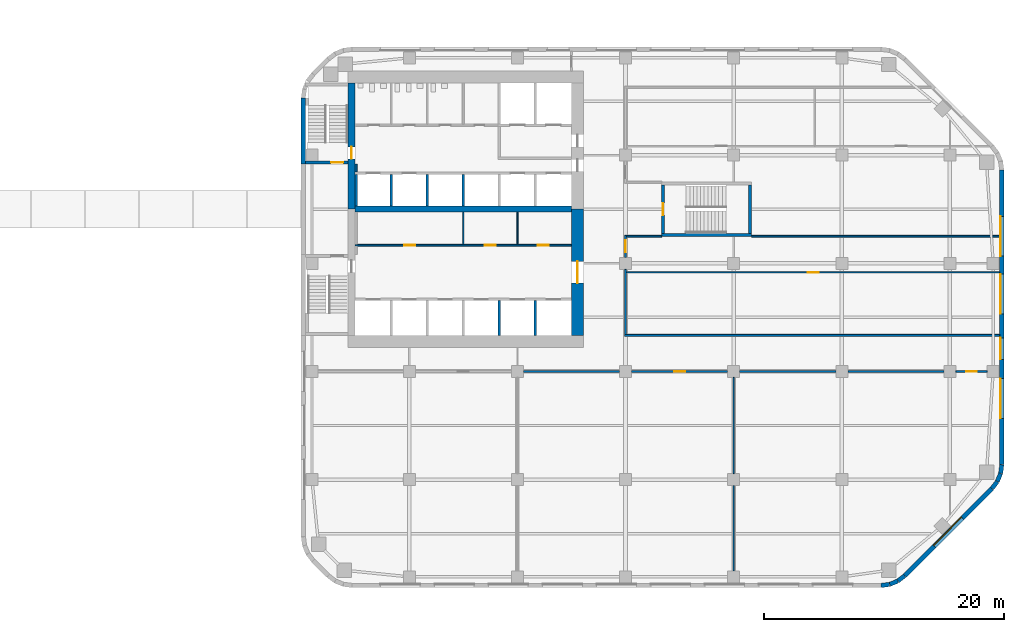
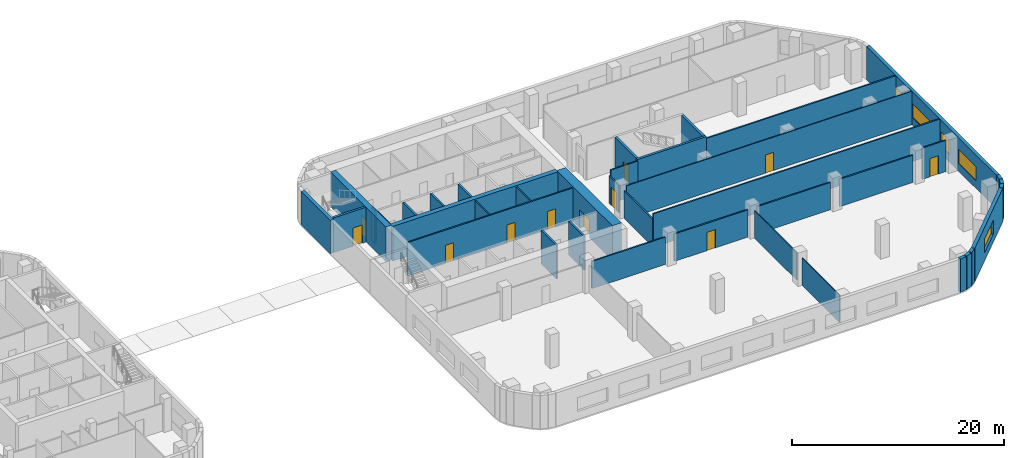
# One storey, part 9 of 15: 39 walls, 11 doors, 5 windows, 16 openings.
"""IFC4 building model written with IfcOpenShell, lengths in metres."""

from ifc_helpers import new_model, si_unit, direction, frame, frame_2d, origin, place, context, subcontext, project, spatial, rectangle, extrude, material, layer, layer_set, type_object, element, fill, save


model = new_model("IFC4")

# Units and contexts
model_context = context("Model", 3, precision=1e-05, world=origin(), true_north=direction((0.0, 1.0)))
body_context = subcontext(model_context, "Body", "Model", "MODEL_VIEW")
ifc_project = project(units=[si_unit("LENGTHUNIT", "METRE"), si_unit("AREAUNIT", "SQUARE_METRE"), si_unit("VOLUMEUNIT", "CUBIC_METRE"), si_unit("PLANEANGLEUNIT", "RADIAN"), si_unit("MASSUNIT", "GRAM", prefix="KILO")], contexts=[model_context])

# Site, building, storey
site_placement = place(None, origin())
site = spatial("IfcSite", under=ifc_project, at=site_placement, CompositionType="ELEMENT")
building_placement = place(site_placement, origin())
building = spatial("IfcBuilding", under=site, at=building_placement, Name="Cinnabar Reach Civic Tower", CompositionType="ELEMENT")
storey_placement = place(building_placement, frame((0.0, 0.0, 75.0)))
storey = spatial("IfcBuildingStorey", under=building, at=storey_placement, Name="L17", CompositionType="ELEMENT", Elevation=75.0)

# Walls
ifc_material_1 = material(Name="Facing brick with insulated backing", Category="masonry")
ifc_layer_1 = layer(ifc_material_1, 0.36)
ifc_layer_set_1 = layer_set([ifc_layer_1], Name="Brick corner wall")
wall_type_1 = type_object("IfcWallType", Name="Brick corner wall", PredefinedType="STANDARD", material=ifc_layer_set_1)
for number, where, z_axis, x_axis, name in (
    (1, (48.2686, 0.183, 0.0), (0.0, 0.0, 1.0), (0.99144092581, 0.13055608231, 0.0), "Brick corner wall"),
    (2, (48.9973, 0.2819, 0.0), (0.0, 0.0, 1.0), (0.923871547278, 0.382702709855, 0.0), "Brick corner wall"),
):
    element("IfcWall", number, at=place(storey_placement, frame(where, z_axis=z_axis, x_axis=x_axis)), inside=storey, type_object=wall_type_1, Name=name, PredefinedType="STANDARD", context=body_context, shape_type="SweptSolid", body=[
        extrude(rectangle(XDim=0.7131, YDim=0.36, at=frame_2d((0.3565, 0.0))), origin(), (0.0, 0.0, 1.0), 3.85),
    ])
for number, where, z_axis, x_axis, name in (
    (3, (49.6755, 0.566, 0.0), (0.0, 0.0, 1.0), (0.793321924995, 0.608802368033, 0.0), "Brick corner wall"),
    (4, (57.4998, 8.2587, 0.0), (0.0, 0.0, 1.0), (0.608802368033, 0.793321924995, 0.0), "Brick corner wall"),
):
    element("IfcWall", number, at=place(storey_placement, frame(where, z_axis=z_axis, x_axis=x_axis)), inside=storey, type_object=wall_type_1, Name=name, PredefinedType="STANDARD", context=body_context, shape_type="SweptSolid", body=[
        extrude(rectangle(XDim=0.7132, YDim=0.36, at=frame_2d((0.3566, 0.0))), origin(), (0.0, 0.0, 1.0), 3.85),
    ])
for number, where, z_axis, x_axis, name in (
    (5, (57.9452, 8.8439, 0.0), (0.0, 0.0, 1.0), (0.382702709855, 0.923871547278, 0.0), "Brick corner wall"),
    (6, (58.2239, 9.5244, 0.0), (0.0, 0.0, 1.0), (0.13055608231, 0.99144092581, 0.0), "Brick corner wall"),
):
    element("IfcWall", number, at=place(storey_placement, frame(where, z_axis=z_axis, x_axis=x_axis)), inside=storey, type_object=wall_type_1, Name=name, PredefinedType="STANDARD", context=body_context, shape_type="SweptSolid", body=[
        extrude(rectangle(XDim=0.7131, YDim=0.36, at=frame_2d((0.3565, 0.0))), origin(), (0.0, 0.0, 1.0), 3.85),
    ])

# Wall, opening, window
ifc_layer_2 = layer(ifc_material_1, 0.36)
ifc_layer_set_2 = layer_set([ifc_layer_2], Name="Brick pier and spandrel wall")
wall_type_2 = type_object("IfcWallType", Name="Brick pier and spandrel wall", PredefinedType="STANDARD", material=ifc_layer_set_2)
wall_1_placement = place(storey_placement, frame((50.2514, 1.006, 0.0), z_axis=(0.0, 0.0, 1.0), x_axis=(0.707106781187, 0.707106781187, 0.0)))
wall_1 = element("IfcWall", 7, at=wall_1_placement, inside=storey, type_object=wall_type_2, Name="Brick facade wall", PredefinedType="STANDARD", context=body_context, shape_type="SweptSolid", body=[
    extrude(rectangle(XDim=10.2426, YDim=0.36, at=frame_2d((5.1213, 0.0))), origin(), (0.0, 0.0, 1.0), 3.85),
])
opening_1_placement = place(wall_1_placement, frame((3.4713, 0.0, 0.9)))
opening_1 = element("IfcOpeningElement", 8, at=opening_1_placement, cuts=wall_1, Name="Opening W1330", PredefinedType="OPENING", context=body_context, shape_type="SweptSolid", body=[
    extrude(rectangle(XDim=3.3, YDim=1.6, at=frame_2d((1.65, 0.8))), frame((0.0, 0.19, 0.0), z_axis=(0.0, -1.0, 0.0), x_axis=(1.0, 0.0, 0.0)), (0.0, 0.0, 1.0), 0.38),
])
ifc_material_2 = material(Name="Clear double glazing in aluminium frame", Category="aluminium")
window_type_1 = type_object("IfcWindowType", Name="Deep-set window A", PartitioningType="SINGLE_PANEL", PredefinedType="WINDOW", material=ifc_material_2)
window_1_placement = place(opening_1_placement, origin())
window_1 = element("IfcWindow", 9, at=window_1_placement, inside=storey, type_object=window_type_1, Name="Window southeast face", OverallHeight=1.6, OverallWidth=3.3, PartitioningType="SINGLE_PANEL", PredefinedType="WINDOW", context=body_context, shape_type="SweptSolid", body=[
    extrude(rectangle(XDim=3.3, YDim=1.6, at=frame_2d((1.65, 0.8))), frame((0.0, 0.13, 0.0), z_axis=(0.0, -1.0, 0.0), x_axis=(1.0, 0.0, 0.0)), (0.0, 0.0, 1.0), 0.06),
])
fill(opening_1, window_1)

# Wall, openings, windows
wall_2_placement = place(storey_placement, frame((58.32, 10.2426, 0.0), z_axis=(0.0, 0.0, 1.0), x_axis=(0.0, 1.0, 0.0)))
wall_2 = element("IfcWall", 10, at=wall_2_placement, inside=storey, type_object=wall_type_2, Name="Brick facade wall", PredefinedType="STANDARD", context=body_context, shape_type="SweptSolid", body=[
    extrude(rectangle(XDim=24.5148, YDim=0.36, at=frame_2d((12.2574, 0.0))), origin(), (0.0, 0.0, 1.0), 3.85),
])
opening_2_placement = place(wall_2_placement, frame((3.8574, 0.0, 0.9)))
opening_2 = element("IfcOpeningElement", 11, at=opening_2_placement, cuts=wall_2, Name="Opening W1331", PredefinedType="OPENING", context=body_context, shape_type="SweptSolid", body=[
    extrude(rectangle(XDim=3.3, YDim=1.6, at=frame_2d((1.65, 0.8))), frame((0.0, 0.19, 0.0), z_axis=(0.0, -1.0, 0.0), x_axis=(1.0, 0.0, 0.0)), (0.0, 0.0, 1.0), 0.38),
])
opening_3_placement = place(wall_2_placement, frame((8.7574, 0.0, 0.9)))
opening_3 = element("IfcOpeningElement", 12, at=opening_3_placement, cuts=wall_2, Name="Opening W1332", PredefinedType="OPENING", context=body_context, shape_type="SweptSolid", body=[
    extrude(rectangle(XDim=1.8, YDim=1.6, at=frame_2d((0.9, 0.8))), frame((0.0, 0.19, 0.0), z_axis=(0.0, -1.0, 0.0), x_axis=(1.0, 0.0, 0.0)), (0.0, 0.0, 1.0), 0.38),
])
opening_4_placement = place(wall_2_placement, frame((12.5574, 0.0, 0.9)))
opening_4 = element("IfcOpeningElement", 13, at=opening_4_placement, cuts=wall_2, Name="Opening W1333", PredefinedType="OPENING", context=body_context, shape_type="SweptSolid", body=[
    extrude(rectangle(XDim=3.3, YDim=1.6, at=frame_2d((1.65, 0.8))), frame((0.0, 0.19, 0.0), z_axis=(0.0, -1.0, 0.0), x_axis=(1.0, 0.0, 0.0)), (0.0, 0.0, 1.0), 0.38),
])
opening_5_placement = place(wall_2_placement, frame((17.3574, 0.0, 0.9)))
opening_5 = element("IfcOpeningElement", 14, at=opening_5_placement, cuts=wall_2, Name="Opening W1334", PredefinedType="OPENING", context=body_context, shape_type="SweptSolid", body=[
    extrude(rectangle(XDim=3.3, YDim=1.6, at=frame_2d((1.65, 0.8))), frame((0.0, 0.19, 0.0), z_axis=(0.0, -1.0, 0.0), x_axis=(1.0, 0.0, 0.0)), (0.0, 0.0, 1.0), 0.38),
])
window_2_placement = place(opening_2_placement, origin())
window_2 = element("IfcWindow", 15, at=window_2_placement, inside=storey, type_object=window_type_1, Name="Window east face", OverallHeight=1.6, OverallWidth=3.3, PartitioningType="SINGLE_PANEL", PredefinedType="WINDOW", context=body_context, shape_type="SweptSolid", body=[
    extrude(rectangle(XDim=3.3, YDim=1.6, at=frame_2d((1.65, 0.8))), frame((0.0, 0.13, 0.0), z_axis=(0.0, -1.0, 0.0), x_axis=(1.0, 0.0, 0.0)), (0.0, 0.0, 1.0), 0.06),
])
fill(opening_2, window_2)
window_3_placement = place(opening_4_placement, origin())
window_3 = element("IfcWindow", 16, at=window_3_placement, inside=storey, type_object=window_type_1, Name="Window east face", OverallHeight=1.6, OverallWidth=3.3, PartitioningType="SINGLE_PANEL", PredefinedType="WINDOW", context=body_context, shape_type="SweptSolid", body=[
    extrude(rectangle(XDim=3.3, YDim=1.6, at=frame_2d((1.65, 0.8))), frame((0.0, 0.13, 0.0), z_axis=(0.0, -1.0, 0.0), x_axis=(1.0, 0.0, 0.0)), (0.0, 0.0, 1.0), 0.06),
])
fill(opening_4, window_3)
window_4_placement = place(opening_5_placement, origin())
window_4 = element("IfcWindow", 17, at=window_4_placement, inside=storey, type_object=window_type_1, Name="Window east face", OverallHeight=1.6, OverallWidth=3.3, PartitioningType="SINGLE_PANEL", PredefinedType="WINDOW", context=body_context, shape_type="SweptSolid", body=[
    extrude(rectangle(XDim=3.3, YDim=1.6, at=frame_2d((1.65, 0.8))), frame((0.0, 0.13, 0.0), z_axis=(0.0, -1.0, 0.0), x_axis=(1.0, 0.0, 0.0)), (0.0, 0.0, 1.0), 0.06),
])
fill(opening_5, window_4)
window_type_2 = type_object("IfcWindowType", Name="Deep-set window D", PartitioningType="SINGLE_PANEL", PredefinedType="WINDOW", material=ifc_material_2)
window_5_placement = place(opening_3_placement, origin())
window_5 = element("IfcWindow", 18, at=window_5_placement, inside=storey, type_object=window_type_2, Name="Window east face", OverallHeight=1.6, OverallWidth=1.8, PartitioningType="SINGLE_PANEL", PredefinedType="WINDOW", context=body_context, shape_type="SweptSolid", body=[
    extrude(rectangle(XDim=1.8, YDim=1.6, at=frame_2d((0.9, 0.8))), frame((0.0, 0.13, 0.0), z_axis=(0.0, -1.0, 0.0), x_axis=(1.0, 0.0, 0.0)), (0.0, 0.0, 1.0), 0.06),
])
fill(opening_3, window_5)

# Wall
wall_3_placement = place(storey_placement, frame((0.18, 40.7574, 0.0), z_axis=(0.0, 0.0, 1.0), x_axis=(0.0, -1.0, 0.0)))
element("IfcWall", 19, at=wall_3_placement, inside=storey, type_object=wall_type_2, Name="Brick facade wall", PredefinedType="STANDARD", context=body_context, shape_type="SweptSolid", body=[
    extrude(rectangle(XDim=5.5074, YDim=0.36, at=frame_2d((2.7537, 0.0))), origin(), (0.0, 0.0, 1.0), 3.85),
])

# Wall, opening, door
ifc_material_3 = material(Name="Concrete C70", Category="concrete")
ifc_layer_3 = layer(ifc_material_3, 1.0)
ifc_layer_set_3 = layer_set([ifc_layer_3], Name="Core wall 1000 EI 180")
wall_type_3 = type_object("IfcWallType", Name="Core wall 1000 EI 180", PredefinedType="SOLIDWALL", material=ifc_layer_set_3)
wall_4_placement = place(storey_placement, frame((23.0, 21.0, 0.0), z_axis=(0.0, 0.0, 1.0), x_axis=(0.0, 1.0, 0.0)))
wall_4 = element("IfcWall", 20, at=wall_4_placement, inside=storey, type_object=wall_type_3, Name="Core wall T1 L17 E", PredefinedType="SOLIDWALL", context=body_context, shape_type="SweptSolid", body=[
    extrude(rectangle(XDim=10.5, YDim=1.0, at=frame_2d((5.25, 0.0))), origin(), (0.0, 0.0, 1.0), 4.0),
])
opening_6_placement = place(wall_4_placement, frame((4.35, 0.0, 0.0)))
opening_6 = element("IfcOpeningElement", 21, at=opening_6_placement, cuts=wall_4, Name="Opening D3691", PredefinedType="OPENING", context=body_context, shape_type="SweptSolid", body=[
    extrude(rectangle(XDim=1.8, YDim=2.1, at=frame_2d((0.9, 1.05))), frame((0.0, 0.51, 0.0), z_axis=(0.0, -1.0, 0.0), x_axis=(1.0, 0.0, 0.0)), (0.0, 0.0, 1.0), 1.02),
])
ifc_material_4 = material(Name="Timber door leaf in steel frame", Category="steel")
door_type_1 = type_object("IfcDoorType", Name="Double swing door 1800 x 2100 T1", OperationType="DOUBLE_DOOR_DOUBLE_SWING", PredefinedType="DOOR", material=ifc_material_4)
door_1_placement = place(opening_6_placement, origin())
door_1 = element("IfcDoor", 22, at=door_1_placement, inside=storey, type_object=door_type_1, Name="Door D3691", OperationType="DOUBLE_DOOR_DOUBLE_SWING", OverallHeight=2.1, OverallWidth=1.8, PredefinedType="DOOR", context=body_context, shape_type="SweptSolid", body=[
    extrude(rectangle(XDim=1.8, YDim=2.1, at=frame_2d((0.9, 1.05))), frame((0.0, 0.025, 0.0), z_axis=(0.0, -1.0, 0.0), x_axis=(1.0, 0.0, 0.0)), (0.0, 0.0, 1.0), 0.05),
])
fill(opening_6, door_1)

# Wall
ifc_material_5 = material(Name="Concrete C60", Category="concrete")
ifc_layer_4 = layer(ifc_material_5, 0.5)
ifc_layer_set_4 = layer_set([ifc_layer_4], Name="Core wall 500 EI 180")
wall_type_4 = type_object("IfcWallType", Name="Core wall 500 EI 180", PredefinedType="SOLIDWALL", material=ifc_layer_set_4)
wall_5_placement = place(storey_placement, frame((4.5, 31.5, 0.0), z_axis=(0.0, 0.0, 1.0), x_axis=(1.0, 0.0, 0.0)))
element("IfcWall", 23, at=wall_5_placement, inside=storey, type_object=wall_type_4, Name="Core spine wall T1 L17", PredefinedType="SOLIDWALL", context=body_context, shape_type="SweptSolid", body=[
    extrude(rectangle(XDim=18.0, YDim=0.5, at=frame_2d((9.0, 0.0))), origin(), (0.0, 0.0, 1.0), 4.0),
])

# Wall, opening, door
ifc_layer_5 = layer(ifc_material_3, 0.6)
ifc_layer_set_5 = layer_set([ifc_layer_5], Name="Core wall 600 EI 180")
wall_type_5 = type_object("IfcWallType", Name="Core wall 600 EI 180", PredefinedType="SOLIDWALL", material=ifc_layer_set_5)
wall_6_placement = place(storey_placement, frame((4.2, 42.0, 0.0), z_axis=(0.0, 0.0, 1.0), x_axis=(0.0, -1.0, 0.0)))
wall_6 = element("IfcWall", 24, at=wall_6_placement, inside=storey, type_object=wall_type_5, Name="Core wall T1 L17 W", PredefinedType="SOLIDWALL", context=body_context, shape_type="SweptSolid", body=[
    extrude(rectangle(XDim=10.5, YDim=0.6, at=frame_2d((5.25, 0.0))), origin(), (0.0, 0.0, 1.0), 4.0),
])
opening_7_placement = place(wall_6_placement, frame((5.3, 0.0, 0.0)))
opening_7 = element("IfcOpeningElement", 25, at=opening_7_placement, cuts=wall_6, Name="Opening D3677", PredefinedType="OPENING", context=body_context, shape_type="SweptSolid", body=[
    extrude(rectangle(XDim=1.0, YDim=2.1, at=frame_2d((0.5, 1.05))), frame((0.0, 0.31, 0.0), z_axis=(0.0, -1.0, 0.0), x_axis=(1.0, 0.0, 0.0)), (0.0, 0.0, 1.0), 0.62),
])
door_type_2 = type_object("IfcDoorType", Name="Stair door 1000 x 2100 T1", OperationType="SINGLE_SWING_LEFT", PredefinedType="DOOR", material=ifc_material_4)
door_2_placement = place(opening_7_placement, frame((1.0, 0.0, 0.0), z_axis=(0.0, 0.0, 1.0), x_axis=(-1.0, 0.0, 0.0)))
door_2 = element("IfcDoor", 26, at=door_2_placement, inside=storey, type_object=door_type_2, Name="Door D3677", OperationType="SINGLE_SWING_LEFT", OverallHeight=2.1, OverallWidth=1.0, PredefinedType="DOOR", context=body_context, shape_type="SweptSolid", body=[
    extrude(rectangle(XDim=1.0, YDim=2.1, at=frame_2d((0.5, 1.05))), frame((0.0, 0.025, 0.0), z_axis=(0.0, -1.0, 0.0), x_axis=(1.0, 0.0, 0.0)), (0.0, 0.0, 1.0), 0.05),
])
fill(opening_7, door_2)

ifc_material_6 = material(Name="Gypsum board on steel studs, double layer", Category="steel")
ifc_layer_6 = layer(ifc_material_6, 0.15)
ifc_layer_set_6 = layer_set([ifc_layer_6], Name="Corridor wall 150 T1")
wall_type_6 = type_object("IfcWallType", Name="Corridor wall 150 T1", PredefinedType="PARTITIONING", material=ifc_layer_set_6)
wall_7_placement = place(storey_placement, frame((54.5, 18.0, 0.0), z_axis=(0.0, 0.0, 1.0), x_axis=(1.0, 0.0, 0.0)))
wall_7 = element("IfcWall", 27, at=wall_7_placement, inside=storey, type_object=wall_type_6, Name="Corridor wall 19", PredefinedType="PARTITIONING", context=body_context, shape_type="SweptSolid", body=[
    extrude(rectangle(XDim=2.6, YDim=0.15, at=frame_2d((1.3, 0.0))), origin(), (0.0, 0.0, 1.0), 3.602),
])
opening_8_placement = place(wall_7_placement, frame((0.85, 0.0, 0.0)))
opening_8 = element("IfcOpeningElement", 28, at=opening_8_placement, cuts=wall_7, Name="Opening D3709", PredefinedType="OPENING", context=body_context, shape_type="SweptSolid", body=[
    extrude(rectangle(XDim=0.9, YDim=2.1, at=frame_2d((0.45, 1.05))), frame((0.0, 0.085, 0.0), z_axis=(0.0, -1.0, 0.0), x_axis=(1.0, 0.0, 0.0)), (0.0, 0.0, 1.0), 0.17),
])
door_type_3 = type_object("IfcDoorType", Name="Single swing door 900 x 2100 corridor T1", OperationType="SINGLE_SWING_LEFT", PredefinedType="DOOR", material=ifc_material_4)
door_3_placement = place(opening_8_placement, frame((0.9, 0.0, 0.0), z_axis=(0.0, 0.0, 1.0), x_axis=(-1.0, 0.0, 0.0)))
door_3 = element("IfcDoor", 29, at=door_3_placement, inside=storey, type_object=door_type_3, Name="Door D3709", OperationType="SINGLE_SWING_RIGHT", OverallHeight=2.1, OverallWidth=0.9, PredefinedType="DOOR", context=body_context, shape_type="SweptSolid", body=[
    extrude(rectangle(XDim=0.9, YDim=2.1, at=frame_2d((0.45, 1.05))), frame((0.0, 0.025, 0.0), z_axis=(0.0, -1.0, 0.0), x_axis=(1.0, 0.0, 0.0)), (0.0, 0.0, 1.0), 0.05),
])
fill(opening_8, door_3)

# Walls
for number, where, z_axis, x_axis, name in (
    (30, (45.5, 18.0, 0.0), (0.0, 0.0, 1.0), (1.0, 0.0, 0.0), "Corridor wall 20"),
    (31, (36.5, 18.0, 0.0), (0.0, 0.0, 1.0), (1.0, 0.0, 0.0), "Corridor wall 21"),
):
    element("IfcWall", number, at=place(storey_placement, frame(where, z_axis=z_axis, x_axis=x_axis)), inside=storey, type_object=wall_type_6, Name=name, PredefinedType="PARTITIONING", context=body_context, shape_type="SweptSolid", body=[
        extrude(rectangle(XDim=8.0, YDim=0.15, at=frame_2d((4.0, 0.0))), origin(), (0.0, 0.0, 1.0), 3.15),
    ])

# Wall, opening, door
wall_8_placement = place(storey_placement, frame((27.5, 18.0, 0.0), z_axis=(0.0, 0.0, 1.0), x_axis=(1.0, 0.0, 0.0)))
wall_8 = element("IfcWall", 32, at=wall_8_placement, inside=storey, type_object=wall_type_6, Name="Corridor wall 22", PredefinedType="PARTITIONING", context=body_context, shape_type="SweptSolid", body=[
    extrude(rectangle(XDim=8.0, YDim=0.15, at=frame_2d((4.0, 0.0))), origin(), (0.0, 0.0, 1.0), 3.15),
])
opening_9_placement = place(wall_8_placement, frame((3.55, 0.0, 0.0)))
opening_9 = element("IfcOpeningElement", 33, at=opening_9_placement, cuts=wall_8, Name="Opening D3708", PredefinedType="OPENING", context=body_context, shape_type="SweptSolid", body=[
    extrude(rectangle(XDim=0.9, YDim=2.1, at=frame_2d((0.45, 1.05))), frame((0.0, 0.085, 0.0), z_axis=(0.0, -1.0, 0.0), x_axis=(1.0, 0.0, 0.0)), (0.0, 0.0, 1.0), 0.17),
])
door_4_placement = place(opening_9_placement, frame((0.9, 0.0, 0.0), z_axis=(0.0, 0.0, 1.0), x_axis=(-1.0, 0.0, 0.0)))
door_4 = element("IfcDoor", 34, at=door_4_placement, inside=storey, type_object=door_type_3, Name="Door D3708", OperationType="SINGLE_SWING_RIGHT", OverallHeight=2.1, OverallWidth=0.9, PredefinedType="DOOR", context=body_context, shape_type="SweptSolid", body=[
    extrude(rectangle(XDim=0.9, YDim=2.1, at=frame_2d((0.45, 1.05))), frame((0.0, 0.025, 0.0), z_axis=(0.0, -1.0, 0.0), x_axis=(1.0, 0.0, 0.0)), (0.0, 0.0, 1.0), 0.05),
])
fill(opening_9, door_4)

# Walls
wall_9_placement = place(storey_placement, frame((18.5, 18.0, 0.0), z_axis=(0.0, 0.0, 1.0), x_axis=(1.0, 0.0, 0.0)))
element("IfcWall", 35, at=wall_9_placement, inside=storey, type_object=wall_type_6, Name="Corridor wall 23", PredefinedType="PARTITIONING", context=body_context, shape_type="SweptSolid", body=[
    extrude(rectangle(XDim=8.0, YDim=0.15, at=frame_2d((4.0, 0.0))), origin(), (0.0, 0.0, 1.0), 3.15),
])
wall_10_placement = place(storey_placement, frame((26.925, 21.0, 0.0), z_axis=(0.0, 0.0, 1.0), x_axis=(1.0, 0.0, 0.0)))
element("IfcWall", 36, at=wall_10_placement, inside=storey, type_object=wall_type_6, Name="Corridor wall 26", PredefinedType="PARTITIONING", context=body_context, shape_type="SweptSolid", body=[
    extrude(rectangle(XDim=31.215, YDim=0.15, at=frame_2d((15.6075, 0.0))), origin(), (0.0, 0.0, 1.0), 3.85),
])

# Wall, openings, doors
wall_11_placement = place(storey_placement, frame((4.5, 28.5, 0.0), z_axis=(0.0, 0.0, 1.0), x_axis=(1.0, 0.0, 0.0)))
wall_11 = element("IfcWall", 37, at=wall_11_placement, inside=storey, type_object=wall_type_6, Name="Corridor wall 28", PredefinedType="PARTITIONING", context=body_context, shape_type="SweptSolid", body=[
    extrude(rectangle(XDim=18.0, YDim=0.15, at=frame_2d((9.0, 0.0))), origin(), (0.0, 0.0, 1.0), 3.85),
])
opening_10_placement = place(wall_11_placement, frame((4.1, 0.0, 0.0)))
opening_10 = element("IfcOpeningElement", 38, at=opening_10_placement, cuts=wall_11, Name="Opening D3695", PredefinedType="OPENING", context=body_context, shape_type="SweptSolid", body=[
    extrude(rectangle(XDim=0.9, YDim=2.1, at=frame_2d((0.45, 1.05))), frame((0.0, 0.085, 0.0), z_axis=(0.0, -1.0, 0.0), x_axis=(1.0, 0.0, 0.0)), (0.0, 0.0, 1.0), 0.17),
])
opening_11_placement = place(wall_11_placement, frame((10.8, 0.0, 0.0)))
opening_11 = element("IfcOpeningElement", 39, at=opening_11_placement, cuts=wall_11, Name="Opening D3696", PredefinedType="OPENING", context=body_context, shape_type="SweptSolid", body=[
    extrude(rectangle(XDim=0.9, YDim=2.1, at=frame_2d((0.45, 1.05))), frame((0.0, 0.085, 0.0), z_axis=(0.0, -1.0, 0.0), x_axis=(1.0, 0.0, 0.0)), (0.0, 0.0, 1.0), 0.17),
])
opening_12_placement = place(wall_11_placement, frame((15.2, 0.0, 0.0)))
opening_12 = element("IfcOpeningElement", 40, at=opening_12_placement, cuts=wall_11, Name="Opening D3697", PredefinedType="OPENING", context=body_context, shape_type="SweptSolid", body=[
    extrude(rectangle(XDim=0.9, YDim=2.1, at=frame_2d((0.45, 1.05))), frame((0.0, 0.085, 0.0), z_axis=(0.0, -1.0, 0.0), x_axis=(1.0, 0.0, 0.0)), (0.0, 0.0, 1.0), 0.17),
])
door_5_placement = place(opening_10_placement, origin())
door_5 = element("IfcDoor", 41, at=door_5_placement, inside=storey, type_object=door_type_3, Name="Door D3695", OperationType="SINGLE_SWING_LEFT", OverallHeight=2.1, OverallWidth=0.9, PredefinedType="DOOR", context=body_context, shape_type="SweptSolid", body=[
    extrude(rectangle(XDim=0.9, YDim=2.1, at=frame_2d((0.45, 1.05))), frame((0.0, 0.025, 0.0), z_axis=(0.0, -1.0, 0.0), x_axis=(1.0, 0.0, 0.0)), (0.0, 0.0, 1.0), 0.05),
])
fill(opening_10, door_5)
door_6_placement = place(opening_11_placement, origin())
door_6 = element("IfcDoor", 42, at=door_6_placement, inside=storey, type_object=door_type_3, Name="Door D3696", OperationType="SINGLE_SWING_LEFT", OverallHeight=2.1, OverallWidth=0.9, PredefinedType="DOOR", context=body_context, shape_type="SweptSolid", body=[
    extrude(rectangle(XDim=0.9, YDim=2.1, at=frame_2d((0.45, 1.05))), frame((0.0, 0.025, 0.0), z_axis=(0.0, -1.0, 0.0), x_axis=(1.0, 0.0, 0.0)), (0.0, 0.0, 1.0), 0.05),
])
fill(opening_11, door_6)
door_7_placement = place(opening_12_placement, origin())
door_7 = element("IfcDoor", 43, at=door_7_placement, inside=storey, type_object=door_type_3, Name="Door D3697", OperationType="SINGLE_SWING_RIGHT", OverallHeight=2.1, OverallWidth=0.9, PredefinedType="DOOR", context=body_context, shape_type="SweptSolid", body=[
    extrude(rectangle(XDim=0.9, YDim=2.1, at=frame_2d((0.45, 1.05))), frame((0.0, 0.025, 0.0), z_axis=(0.0, -1.0, 0.0), x_axis=(1.0, 0.0, 0.0)), (0.0, 0.0, 1.0), 0.05),
])
fill(opening_12, door_7)

# Wall
wall_12_placement = place(storey_placement, frame((27.0, 21.075, 0.0), z_axis=(0.0, 0.0, 1.0), x_axis=(0.0, 1.0, 0.0)))
element("IfcWall", 44, at=wall_12_placement, inside=storey, type_object=wall_type_6, Name="Corridor wall 30", PredefinedType="PARTITIONING", context=body_context, shape_type="SweptSolid", body=[
    extrude(rectangle(XDim=5.425, YDim=0.15, at=frame_2d((2.7125, 0.0))), origin(), (0.0, 0.0, 1.0), 3.158),
])

# Wall, opening, door
wall_13_placement = place(storey_placement, frame((27.0, 27.5, 0.0), z_axis=(0.0, 0.0, 1.0), x_axis=(0.0, 1.0, 0.0)))
wall_13 = element("IfcWall", 45, at=wall_13_placement, inside=storey, type_object=wall_type_6, Name="Corridor wall 31", PredefinedType="PARTITIONING", context=body_context, shape_type="SweptSolid", body=[
    extrude(rectangle(XDim=1.825, YDim=0.15, at=frame_2d((0.9125, 0.0))), origin(), (0.0, 0.0, 1.0), 3.158),
])
opening_13_placement = place(wall_13_placement, frame((0.4, 0.0, 0.0)))
opening_13 = element("IfcOpeningElement", 46, at=opening_13_placement, cuts=wall_13, Name="Opening D3705", PredefinedType="OPENING", context=body_context, shape_type="SweptSolid", body=[
    extrude(rectangle(XDim=1.0, YDim=2.1, at=frame_2d((0.5, 1.05))), frame((0.0, 0.085, 0.0), z_axis=(0.0, -1.0, 0.0), x_axis=(1.0, 0.0, 0.0)), (0.0, 0.0, 1.0), 0.17),
])
door_type_4 = type_object("IfcDoorType", Name="Tenancy entrance door 1000 x 2100 T1", OperationType="SINGLE_SWING_LEFT", PredefinedType="DOOR", material=ifc_material_4)
door_8_placement = place(opening_13_placement, frame((1.0, 0.0, 0.0), z_axis=(0.0, 0.0, 1.0), x_axis=(-1.0, 0.0, 0.0)))
door_8 = element("IfcDoor", 47, at=door_8_placement, inside=storey, type_object=door_type_4, Name="Door D3705", OperationType="SINGLE_SWING_LEFT", OverallHeight=2.1, OverallWidth=1.0, PredefinedType="DOOR", context=body_context, shape_type="SweptSolid", body=[
    extrude(rectangle(XDim=1.0, YDim=2.1, at=frame_2d((0.5, 1.05))), frame((0.0, 0.025, 0.0), z_axis=(0.0, -1.0, 0.0), x_axis=(1.0, 0.0, 0.0)), (0.0, 0.0, 1.0), 0.05),
])
fill(opening_13, door_8)

# Walls
wall_14_placement = place(storey_placement, frame((27.075, 29.25, 0.0), z_axis=(0.0, 0.0, 1.0), x_axis=(1.0, 0.0, 0.0)))
element("IfcWall", 48, at=wall_14_placement, inside=storey, type_object=wall_type_6, Name="Corridor wall 36", PredefinedType="PARTITIONING", context=body_context, shape_type="SweptSolid", body=[
    extrude(rectangle(XDim=2.925, YDim=0.15, at=frame_2d((1.4625, 0.0))), origin(), (0.0, 0.0, 1.0), 3.85),
])
wall_15_placement = place(storey_placement, frame((4.575, 34.6, 0.0), z_axis=(0.0, 0.0, 1.0), x_axis=(0.0, 1.0, 0.0)))
element("IfcWall", 49, at=wall_15_placement, inside=storey, type_object=wall_type_6, Name="Corridor wall 39", PredefinedType="PARTITIONING", context=body_context, shape_type="SweptSolid", body=[
    extrude(rectangle(XDim=0.65, YDim=0.15, at=frame_2d((0.325, 0.0))), origin(), (0.0, 0.0, 1.0), 3.85),
])
ifc_material_7 = material(Name="Blockwork", Category="masonry")
ifc_layer_7 = layer(ifc_material_7, 0.2)
ifc_layer_set_7 = layer_set([ifc_layer_7], Name="Lift shaft wall 200 T1")
wall_type_7 = type_object("IfcWallType", Name="Lift shaft wall 200 T1", PredefinedType="PARTITIONING", material=ifc_layer_set_7)
for number, where, z_axis, x_axis, name in (
    (50, (4.6, 31.75, 0.0), (0.0, 0.0, 1.0), (0.0, 1.0, 0.0), "Lift shaft wall 8"),
    (51, (7.5, 31.75, 0.0), (0.0, 0.0, 1.0), (0.0, 1.0, 0.0), "Lift shaft wall 10"),
    (52, (10.5, 31.75, 0.0), (0.0, 0.0, 1.0), (0.0, 1.0, 0.0), "Lift shaft wall 12"),
    (53, (13.5, 31.75, 0.0), (0.0, 0.0, 1.0), (0.0, 1.0, 0.0), "Lift shaft wall 14"),
):
    element("IfcWall", number, at=place(storey_placement, frame(where, z_axis=z_axis, x_axis=x_axis)), inside=storey, type_object=wall_type_7, Name=name, PredefinedType="PARTITIONING", context=body_context, shape_type="SweptSolid", body=[
        extrude(rectangle(XDim=2.65, YDim=0.2, at=frame_2d((1.325, 0.0))), origin(), (0.0, 0.0, 1.0), 3.85),
    ])
for number, where, z_axis, x_axis, name in (
    (54, (16.5, 21.0, 0.0), (0.0, 0.0, 1.0), (0.0, 1.0, 0.0), "Lift shaft wall 15"),
    (55, (19.5, 21.0, 0.0), (0.0, 0.0, 1.0), (0.0, 1.0, 0.0), "Lift shaft wall 17"),
):
    element("IfcWall", number, at=place(storey_placement, frame(where, z_axis=z_axis, x_axis=x_axis)), inside=storey, type_object=wall_type_7, Name=name, PredefinedType="PARTITIONING", context=body_context, shape_type="SweptSolid", body=[
        extrude(rectangle(XDim=2.9, YDim=0.2, at=frame_2d((1.45, 0.0))), origin(), (0.0, 0.0, 1.0), 3.85),
    ])

# Wall, opening, door
ifc_material_8 = material(Name="Gypsum board on steel studs", Category="steel")
ifc_layer_8 = layer(ifc_material_8, 0.1)
ifc_layer_set_8 = layer_set([ifc_layer_8], Name="Partition wall 100 T1")
wall_type_8 = type_object("IfcWallType", Name="Partition wall 100 T1", PredefinedType="PARTITIONING", material=ifc_layer_set_8)
wall_16_placement = place(storey_placement, frame((27.075, 26.25, 0.0), z_axis=(0.0, 0.0, 1.0), x_axis=(1.0, 0.0, 0.0)))
wall_16 = element("IfcWall", 56, at=wall_16_placement, inside=storey, type_object=wall_type_8, Name="Partition wall 42", PredefinedType="PARTITIONING", context=body_context, shape_type="SweptSolid", body=[
    extrude(rectangle(XDim=31.065, YDim=0.1, at=frame_2d((15.5325, 0.0))), origin(), (0.0, 0.0, 1.0), 3.85),
])
opening_14_placement = place(wall_16_placement, frame((15.1, 0.0, 0.0)))
opening_14 = element("IfcOpeningElement", 57, at=opening_14_placement, cuts=wall_16, Name="Opening D3706", PredefinedType="OPENING", context=body_context, shape_type="SweptSolid", body=[
    extrude(rectangle(XDim=0.9, YDim=2.1, at=frame_2d((0.45, 1.05))), frame((0.0, 0.06, 0.0), z_axis=(0.0, -1.0, 0.0), x_axis=(1.0, 0.0, 0.0)), (0.0, 0.0, 1.0), 0.12),
])
door_type_5 = type_object("IfcDoorType", Name="Single swing door 900 x 2100 T1", OperationType="SINGLE_SWING_LEFT", PredefinedType="DOOR", material=ifc_material_4)
door_9_placement = place(opening_14_placement, origin())
door_9 = element("IfcDoor", 58, at=door_9_placement, inside=storey, type_object=door_type_5, Name="Door D3706", OperationType="SINGLE_SWING_LEFT", OverallHeight=2.1, OverallWidth=0.9, PredefinedType="DOOR", context=body_context, shape_type="SweptSolid", body=[
    extrude(rectangle(XDim=0.9, YDim=2.1, at=frame_2d((0.45, 1.05))), frame((0.0, 0.025, 0.0), z_axis=(0.0, -1.0, 0.0), x_axis=(1.0, 0.0, 0.0)), (0.0, 0.0, 1.0), 0.05),
])
fill(opening_14, door_9)

# Walls
wall_17_placement = place(storey_placement, frame((36.0, 1.4, 0.0), z_axis=(0.0, 0.0, 1.0), x_axis=(0.0, 1.0, 0.0)))
element("IfcWall", 59, at=wall_17_placement, inside=storey, type_object=wall_type_8, Name="Partition wall 46", PredefinedType="PARTITIONING", context=body_context, shape_type="SweptSolid", body=[
    extrude(rectangle(XDim=7.1, YDim=0.1, at=frame_2d((3.55, 0.0))), origin(), (0.0, 0.0, 1.0), 3.158),
])
wall_18_placement = place(storey_placement, frame((36.0, 9.5, 0.0), z_axis=(0.0, 0.0, 1.0), x_axis=(0.0, 1.0, 0.0)))
element("IfcWall", 60, at=wall_18_placement, inside=storey, type_object=wall_type_8, Name="Partition wall 47", PredefinedType="PARTITIONING", context=body_context, shape_type="SweptSolid", body=[
    extrude(rectangle(XDim=8.0, YDim=0.1, at=frame_2d((4.0, 0.0))), origin(), (0.0, 0.0, 1.0), 3.158),
])
for number, where, z_axis, x_axis, name in (
    (61, (13.5, 28.575, 0.0), (0.0, 0.0, 1.0), (0.0, 1.0, 0.0), "Partition wall 51"),
    (62, (18.0, 28.575, 0.0), (0.0, 0.0, 1.0), (0.0, 1.0, 0.0), "Partition wall 52"),
):
    element("IfcWall", number, at=place(storey_placement, frame(where, z_axis=z_axis, x_axis=x_axis)), inside=storey, type_object=wall_type_8, Name=name, PredefinedType="PARTITIONING", context=body_context, shape_type="SweptSolid", body=[
        extrude(rectangle(XDim=2.675, YDim=0.1, at=frame_2d((1.3375, 0.0))), origin(), (0.0, 0.0, 1.0), 3.85),
    ])

# Wall, opening, door
ifc_layer_9 = layer(ifc_material_5, 0.25)
ifc_layer_set_9 = layer_set([ifc_layer_9], Name="Stair shaft wall 250 EI 120")
wall_type_9 = type_object("IfcWallType", Name="Stair shaft wall 250 EI 120", PredefinedType="SOLIDWALL", material=ifc_layer_set_9)
wall_19_placement = place(storey_placement, frame((0.36, 35.375, 0.0), z_axis=(0.0, 0.0, 1.0), x_axis=(1.0, 0.0, 0.0)))
wall_19 = element("IfcWall", 63, at=wall_19_placement, inside=storey, type_object=wall_type_9, Name="Stair shaft wall T1-S2 L17", PredefinedType="SOLIDWALL", context=body_context, shape_type="SweptSolid", body=[
    extrude(rectangle(XDim=3.54, YDim=0.25, at=frame_2d((1.77, 0.0))), origin(), (0.0, 0.0, 1.0), 4.0),
])
opening_15_placement = place(wall_19_placement, frame((2.14, 0.0, 0.0)))
opening_15 = element("IfcOpeningElement", 64, at=opening_15_placement, cuts=wall_19, Name="Opening D3678", PredefinedType="OPENING", context=body_context, shape_type="SweptSolid", body=[
    extrude(rectangle(XDim=1.0, YDim=2.1, at=frame_2d((0.5, 1.05))), frame((0.0, 0.135, 0.0), z_axis=(0.0, -1.0, 0.0), x_axis=(1.0, 0.0, 0.0)), (0.0, 0.0, 1.0), 0.27),
])
door_10_placement = place(opening_15_placement, origin())
door_10 = element("IfcDoor", 65, at=door_10_placement, inside=storey, type_object=door_type_2, Name="Door D3678", OperationType="SINGLE_SWING_RIGHT", OverallHeight=2.1, OverallWidth=1.0, PredefinedType="DOOR", context=body_context, shape_type="SweptSolid", body=[
    extrude(rectangle(XDim=1.0, YDim=2.1, at=frame_2d((0.5, 1.05))), frame((0.0, 0.025, 0.0), z_axis=(0.0, -1.0, 0.0), x_axis=(1.0, 0.0, 0.0)), (0.0, 0.0, 1.0), 0.05),
])
fill(opening_15, door_10)

# Walls
wall_20_placement = place(storey_placement, frame((30.0, 29.375, 0.0), z_axis=(0.0, 0.0, 1.0), x_axis=(1.0, 0.0, 0.0)))
element("IfcWall", 66, at=wall_20_placement, inside=storey, type_object=wall_type_9, Name="Stair shaft wall T1-S3 L17", PredefinedType="SOLIDWALL", context=body_context, shape_type="SweptSolid", body=[
    extrude(rectangle(XDim=7.5, YDim=0.25, at=frame_2d((3.75, 0.0))), origin(), (0.0, 0.0, 1.0), 4.0),
])
wall_21_placement = place(storey_placement, frame((37.375, 29.5, 0.0), z_axis=(0.0, 0.0, 1.0), x_axis=(0.0, 1.0, 0.0)))
element("IfcWall", 67, at=wall_21_placement, inside=storey, type_object=wall_type_9, Name="Stair shaft wall T1-S3 L17", PredefinedType="SOLIDWALL", context=body_context, shape_type="SweptSolid", body=[
    extrude(rectangle(XDim=4.0, YDim=0.25, at=frame_2d((2.0, 0.0))), origin(), (0.0, 0.0, 1.0), 4.0),
])

# Wall, opening, door
wall_22_placement = place(storey_placement, frame((30.125, 33.5, 0.0), z_axis=(0.0, 0.0, 1.0), x_axis=(0.0, -1.0, 0.0)))
wall_22 = element("IfcWall", 68, at=wall_22_placement, inside=storey, type_object=wall_type_9, Name="Stair shaft wall T1-S3 L17", PredefinedType="SOLIDWALL", context=body_context, shape_type="SweptSolid", body=[
    extrude(rectangle(XDim=4.0, YDim=0.25, at=frame_2d((2.0, 0.0))), origin(), (0.0, 0.0, 1.0), 4.0),
])
opening_16_placement = place(wall_22_placement, frame((1.5, 0.0, 0.0)))
opening_16 = element("IfcOpeningElement", 69, at=opening_16_placement, cuts=wall_22, Name="Opening D3694", PredefinedType="OPENING", context=body_context, shape_type="SweptSolid", body=[
    extrude(rectangle(XDim=1.0, YDim=2.1, at=frame_2d((0.5, 1.05))), frame((0.0, 0.135, 0.0), z_axis=(0.0, -1.0, 0.0), x_axis=(1.0, 0.0, 0.0)), (0.0, 0.0, 1.0), 0.27),
])
door_11_placement = place(opening_16_placement, origin())
door_11 = element("IfcDoor", 70, at=door_11_placement, inside=storey, type_object=door_type_2, Name="Door D3694", OperationType="SINGLE_SWING_LEFT", OverallHeight=2.1, OverallWidth=1.0, PredefinedType="DOOR", context=body_context, shape_type="SweptSolid", body=[
    extrude(rectangle(XDim=1.0, YDim=2.1, at=frame_2d((0.5, 1.05))), frame((0.0, 0.025, 0.0), z_axis=(0.0, -1.0, 0.0), x_axis=(1.0, 0.0, 0.0)), (0.0, 0.0, 1.0), 0.05),
])
fill(opening_16, door_11)

# Wall
ifc_layer_10 = layer(ifc_material_6, 0.15)
ifc_layer_set_10 = layer_set([ifc_layer_10], Name="Tenancy separating wall 150 T1")
wall_type_10 = type_object("IfcWallType", Name="Tenancy separating wall 150 T1", PredefinedType="PARTITIONING", material=ifc_layer_set_10)
wall_23_placement = place(storey_placement, frame((37.5, 29.25, 0.0), z_axis=(0.0, 0.0, 1.0), x_axis=(1.0, 0.0, 0.0)))
element("IfcWall", 71, at=wall_23_placement, inside=storey, type_object=wall_type_10, Name="Tenancy separating wall 41", PredefinedType="PARTITIONING", context=body_context, shape_type="SweptSolid", body=[
    extrude(rectangle(XDim=20.64, YDim=0.15, at=frame_2d((10.32, 0.0))), origin(), (0.0, 0.0, 1.0), 3.85),
])

save(model, "model.ifc")
